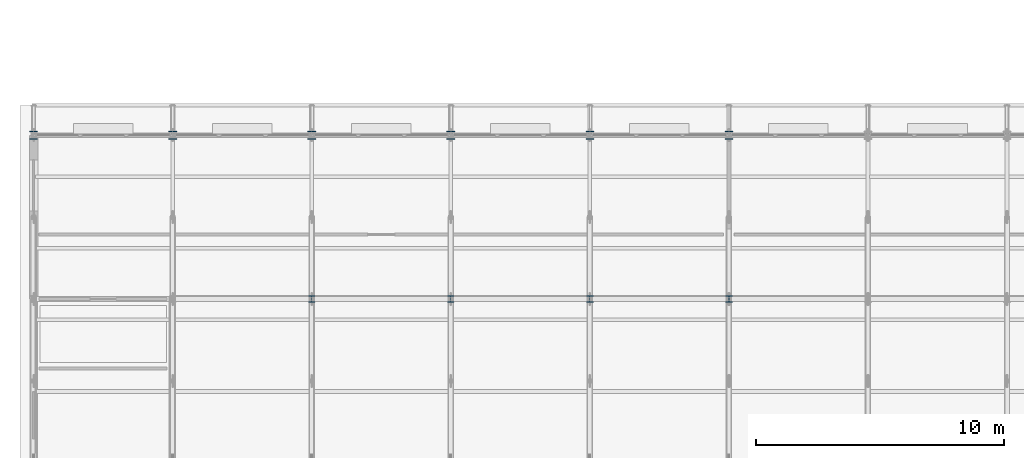
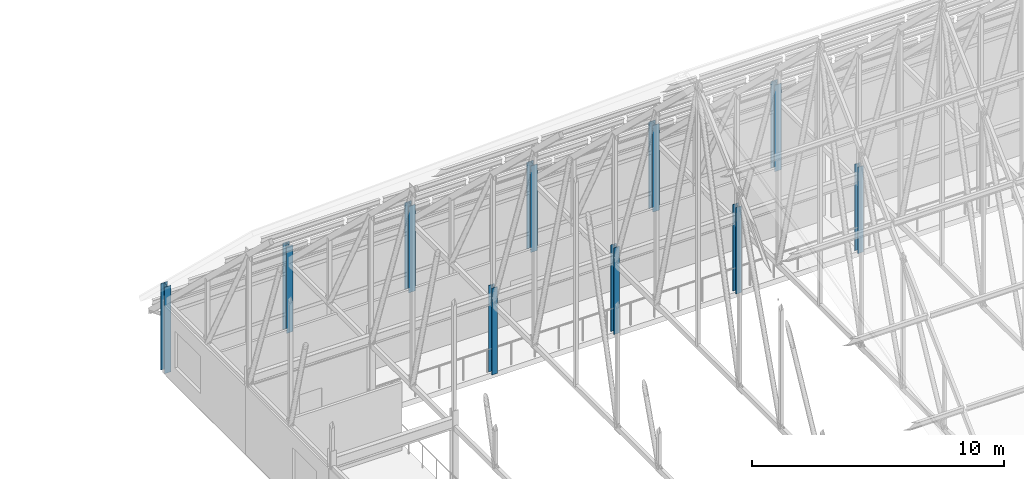
# One storey, part 2 of 144: 10 columns.
"""IFC4 building model written with IfcOpenShell, lengths in metres."""

from ifc_helpers import new_model, si_unit, direction, frame, origin, origin_2d, place, context, subcontext, project, spatial, i_section, extrude, material, material_profile, profile_set, type_object, element, save


model = new_model("IFC4")

# Units and contexts
model_context = context("Model", 3, precision=1e-05, world=origin(), true_north=direction((0.0, 1.0)))
body_context = subcontext(model_context, "Body", "Model", "MODEL_VIEW")
ifc_project = project(units=[si_unit("LENGTHUNIT", "METRE"), si_unit("AREAUNIT", "SQUARE_METRE"), si_unit("VOLUMEUNIT", "CUBIC_METRE"), si_unit("PLANEANGLEUNIT", "RADIAN"), si_unit("MASSUNIT", "GRAM", prefix="KILO")], contexts=[model_context])

# Site, building, storey
site_placement = place(None, origin())
site = spatial("IfcSite", under=ifc_project, at=site_placement, CompositionType="ELEMENT")
building_placement = place(site_placement, origin())
building = spatial("IfcBuilding", under=site, at=building_placement, Name="Trelmorton Wharf Fire Station", CompositionType="ELEMENT")
storey_placement = place(building_placement, frame((0.0, 0.0, 5.39990234375)))
storey = spatial("IfcBuildingStorey", under=building, at=storey_placement, Name="L01", CompositionType="ELEMENT", Elevation=5.39990234375)

# Columns
ifc_material = material(Name="Steel Grade 350", Category="steel")
ifc_material_profile_1 = material_profile(ifc_material, i_section(OverallWidth=0.256103515625, OverallDepth=0.260009765625, WebThickness=0.010498046875, FlangeThickness=0.017333984375, FilletRadius=0.0126953125, at=origin_2d()), Name="250UC89.5")
ifc_profile_set_1 = profile_set([ifc_material_profile_1], Name="Steel Grade 350")
column_type_1 = type_object("IfcColumnType", Name="COL_250UC89", PredefinedType="COLUMN", material=ifc_profile_set_1)
for number, where, z_axis, x_axis, name in (
    (1, (12.0, 27.60009765625, 0.0), (0.0, 0.0, 1.0), (1.0, 0.0, 0.0), "COL-L01-0268"),
    (2, (17.60009765625, 27.60009765625, 0.0), (0.0, 0.0, 1.0), (1.0, 0.0, 0.0), "COL-L01-0276"),
    (3, (23.199951171875, 27.60009765625, 0.0), (0.0, 0.0, 1.0), (1.0, 0.0, 0.0), "COL-L01-0284"),
    (4, (28.800048828125, 27.60009765625, 0.0), (0.0, 0.0, 1.0), (1.0, 0.0, 0.0), "COL-L01-0292"),
):
    element("IfcColumn", number, at=place(storey_placement, frame(where, z_axis=z_axis, x_axis=x_axis)), inside=storey, type_object=column_type_1, Name=name, PredefinedType="COLUMN", context=body_context, shape_type="SweptSolid", body=[
        extrude(i_section(OverallWidth=0.256103515625, OverallDepth=0.260009765625, WebThickness=0.010498046875, FlangeThickness=0.017333984375, FilletRadius=0.0126953125, at=origin_2d()), origin(), (0.0, 0.0, 1.0), 4.2001953125),
    ])
ifc_material_profile_2 = material_profile(ifc_material, i_section(OverallWidth=0.306884765625, OverallDepth=0.31494140625, WebThickness=0.011962890625, FlangeThickness=0.018798828125, FilletRadius=0.0166015625, at=origin_2d()), Name="310UC118")
ifc_profile_set_2 = profile_set([ifc_material_profile_2], Name="Steel Grade 350")
column_type_2 = type_object("IfcColumnType", Name="COL_310UC118", PredefinedType="COLUMN", material=ifc_profile_set_2)
for number, where, z_axis, x_axis, name in (
    (5, (0.800048828125, 34.199951171875, 0.0), (0.0, 0.0, 1.0), (1.0, 0.0, 0.0), "COL-L01-0251"),
    (6, (6.39990234375, 34.199951171875, 0.0), (0.0, 0.0, 1.0), (1.0, 0.0, 0.0), "COL-L01-0261"),
    (7, (12.0, 34.199951171875, 0.0), (0.0, 0.0, 1.0), (1.0, 0.0, 0.0), "COL-L01-0269"),
    (8, (17.60009765625, 34.199951171875, 0.0), (0.0, 0.0, 1.0), (1.0, 0.0, 0.0), "COL-L01-0277"),
    (9, (23.199951171875, 34.199951171875, 0.0), (0.0, 0.0, 1.0), (1.0, 0.0, 0.0), "COL-L01-0285"),
    (10, (28.800048828125, 34.199951171875, 0.0), (0.0, 0.0, 1.0), (1.0, 0.0, 0.0), "COL-L01-0293"),
):
    element("IfcColumn", number, at=place(storey_placement, frame(where, z_axis=z_axis, x_axis=x_axis)), inside=storey, type_object=column_type_2, Name=name, PredefinedType="COLUMN", context=body_context, shape_type="SweptSolid", body=[
        extrude(i_section(OverallWidth=0.306884765625, OverallDepth=0.31494140625, WebThickness=0.011962890625, FlangeThickness=0.018798828125, FilletRadius=0.0166015625, at=origin_2d()), origin(), (0.0, 0.0, 1.0), 4.2001953125),
    ])

save(model, "model.ifc")
